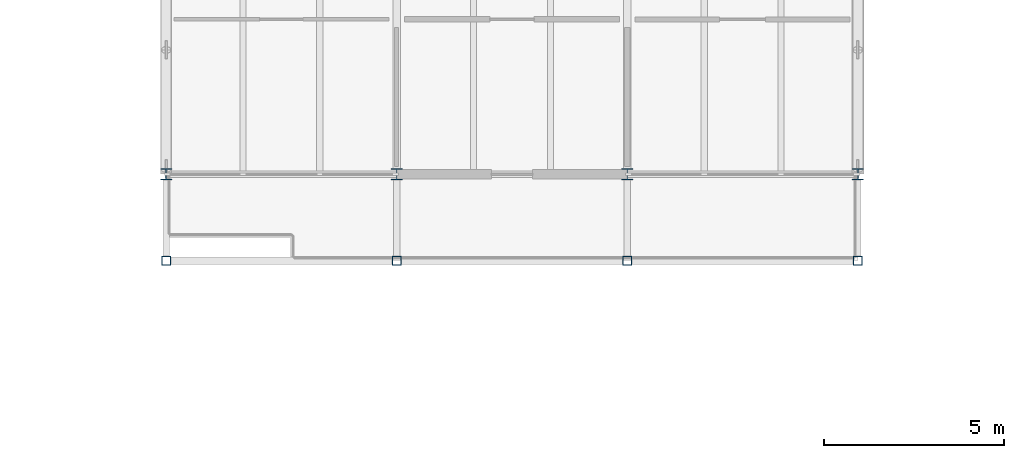
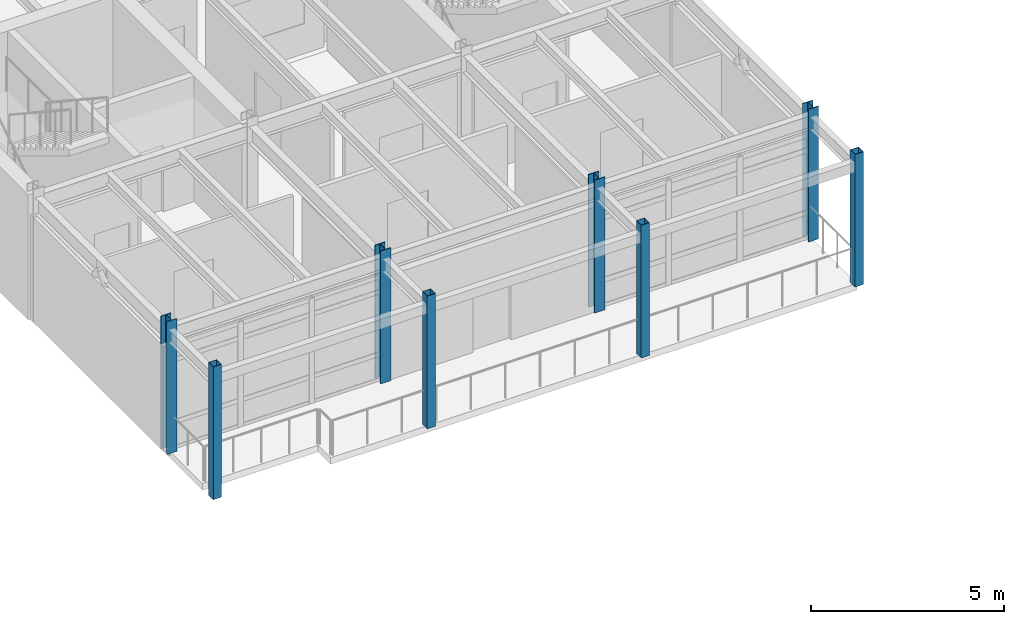
# One storey, part 11 of 144: 8 columns.
"""IFC4 building model written with IfcOpenShell, lengths in metres."""

from ifc_helpers import new_model, si_unit, direction, frame, origin, origin_2d, place, context, subcontext, project, spatial, hollow_rectangle, i_section, extrude, material, material_profile, profile_set, type_object, element, save


model = new_model("IFC4")

# Units and contexts
model_context = context("Model", 3, precision=1e-05, world=origin(), true_north=direction((0.0, 1.0)))
body_context = subcontext(model_context, "Body", "Model", "MODEL_VIEW")
ifc_project = project(units=[si_unit("LENGTHUNIT", "METRE"), si_unit("AREAUNIT", "SQUARE_METRE"), si_unit("VOLUMEUNIT", "CUBIC_METRE"), si_unit("PLANEANGLEUNIT", "RADIAN"), si_unit("MASSUNIT", "GRAM", prefix="KILO")], contexts=[model_context])

# Site, building, storey
site_placement = place(None, origin())
site = spatial("IfcSite", under=ifc_project, at=site_placement, CompositionType="ELEMENT")
building_placement = place(site_placement, origin())
building = spatial("IfcBuilding", under=site, at=building_placement, Name="Trelmorton Wharf Fire Station", CompositionType="ELEMENT")
storey_placement = place(building_placement, frame((0.0, 0.0, 5.39990234375)))
storey = spatial("IfcBuildingStorey", under=building, at=storey_placement, Name="L01", CompositionType="ELEMENT", Elevation=5.39990234375)

# Columns
ifc_material_1 = material(Name="Steel Grade 350", Category="steel")
ifc_material_profile_1 = material_profile(ifc_material_1, i_section(OverallWidth=0.31103515625, OverallDepth=0.326904296875, WebThickness=0.015625, FlangeThickness=0.02490234375, FilletRadius=0.0166015625, at=origin_2d()), Name="310UC158")
ifc_profile_set_1 = profile_set([ifc_material_profile_1], Name="Steel Grade 350")
column_type_1 = type_object("IfcColumnType", Name="COL_310UC158", PredefinedType="COLUMN", material=ifc_profile_set_1)
for number, where, z_axis, x_axis, name in (
    (1, (77.199951171875, 60.300048828125, 0.0), (0.0, 0.0, 1.0), (1.0, 0.0, 0.0), "COL-L01-0350"),
    (2, (83.60009765625, 60.300048828125, 0.0), (0.0, 0.0, 1.0), (1.0, 0.0, 0.0), "COL-L01-0360"),
):
    element("IfcColumn", number, at=place(storey_placement, frame(where, z_axis=z_axis, x_axis=x_axis)), inside=storey, type_object=column_type_1, Name=name, PredefinedType="COLUMN", context=body_context, shape_type="SweptSolid", body=[
        extrude(i_section(OverallWidth=0.31103515625, OverallDepth=0.326904296875, WebThickness=0.015625, FlangeThickness=0.02490234375, FilletRadius=0.0166015625, at=origin_2d()), origin(), (0.0, 0.0, 1.0), 4.2001953125),
    ])
ifc_material_2 = material(Name="Signal-red architectural steel Grade 350", Category="steel")
ifc_material_profile_2 = material_profile(ifc_material_2, hollow_rectangle(XDim=0.25, YDim=0.25, WallThickness=0.012451171875, at=origin_2d()), Name="250x250x12.5SHS")
ifc_profile_set_2 = profile_set([ifc_material_profile_2], Name="Signal-red architectural steel Grade 350")
column_type_2 = type_object("IfcColumnType", Name="COL_RED_250SHS", PredefinedType="COLUMN", material=ifc_profile_set_2)
for number, where, z_axis, x_axis, name in (
    (3, (70.800048828125, 57.89990234375, 0.0), (0.0, 0.0, 1.0), (1.0, 0.0, 0.0), "COL-L01-0340"),
    (4, (77.199951171875, 57.89990234375, 0.0), (0.0, 0.0, 1.0), (1.0, 0.0, 0.0), "COL-L01-0349"),
    (5, (83.60009765625, 57.89990234375, 0.0), (0.0, 0.0, 1.0), (1.0, 0.0, 0.0), "COL-L01-0359"),
    (6, (90.0, 57.89990234375, 0.0), (0.0, 0.0, 1.0), (1.0, 0.0, 0.0), "COL-L01-0366"),
):
    element("IfcColumn", number, at=place(storey_placement, frame(where, z_axis=z_axis, x_axis=x_axis)), inside=storey, type_object=column_type_2, Name=name, PredefinedType="COLUMN", context=body_context, shape_type="SweptSolid", body=[
        extrude(hollow_rectangle(XDim=0.25, YDim=0.25, WallThickness=0.012451171875, at=origin_2d()), origin(), (0.0, 0.0, 1.0), 4.2001953125),
    ])
ifc_material_profile_3 = material_profile(ifc_material_2, i_section(OverallWidth=0.306884765625, OverallDepth=0.31494140625, WebThickness=0.011962890625, FlangeThickness=0.018798828125, FilletRadius=0.0166015625, at=origin_2d()), Name="310UC118")
ifc_profile_set_3 = profile_set([ifc_material_profile_3], Name="Signal-red architectural steel Grade 350")
column_type_3 = type_object("IfcColumnType", Name="COL_RED_310UC118", PredefinedType="COLUMN", material=ifc_profile_set_3)
for number, where, z_axis, x_axis, name in (
    (7, (70.800048828125, 60.300048828125, 0.0), (0.0, 0.0, 1.0), (1.0, 0.0, 0.0), "COL-L01-0341"),
    (8, (90.0, 60.300048828125, 0.0), (0.0, 0.0, 1.0), (1.0, 0.0, 0.0), "COL-L01-0367"),
):
    element("IfcColumn", number, at=place(storey_placement, frame(where, z_axis=z_axis, x_axis=x_axis)), inside=storey, type_object=column_type_3, Name=name, PredefinedType="COLUMN", context=body_context, shape_type="SweptSolid", body=[
        extrude(i_section(OverallWidth=0.306884765625, OverallDepth=0.31494140625, WebThickness=0.011962890625, FlangeThickness=0.018798828125, FilletRadius=0.0166015625, at=origin_2d()), origin(), (0.0, 0.0, 1.0), 4.2001953125),
    ])

save(model, "model.ifc")
